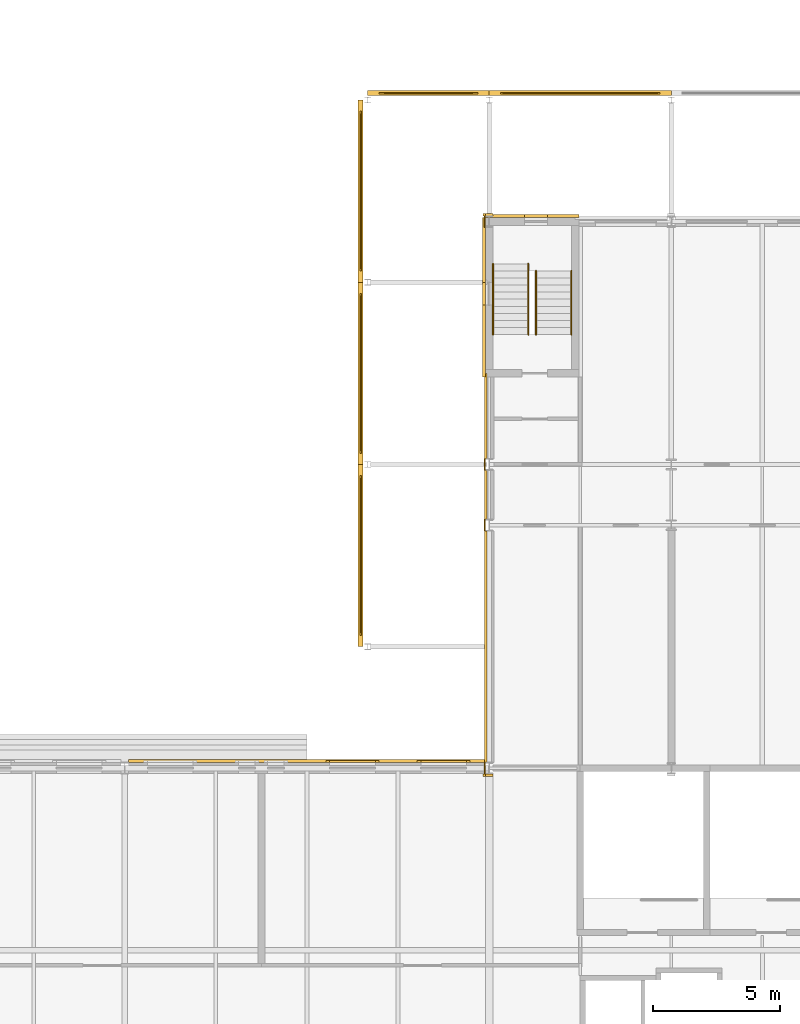
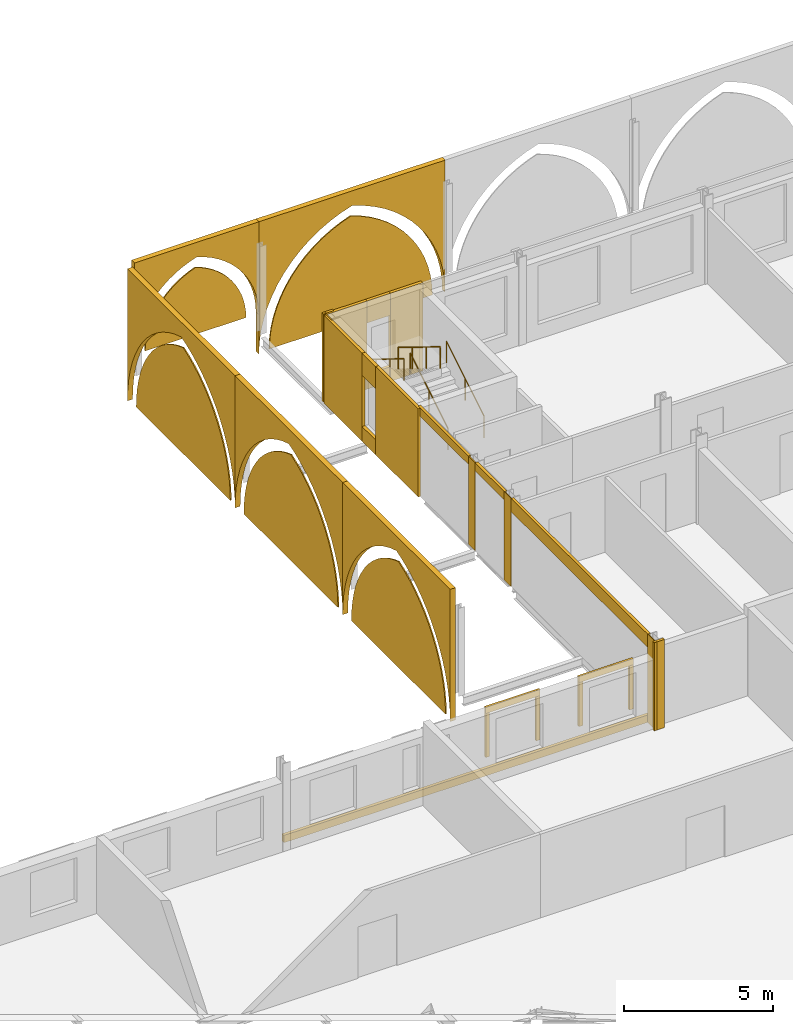
# One storey, part 126 of 142: 36 coverings, 4 railings.
"""IFC4 building model written with IfcOpenShell, lengths in metres."""

from ifc_helpers import new_model, si_unit, direction, frame, origin, origin_2d, place, context, subcontext, project, spatial, polyline, rectangle, circle, outline, extrude, material, layer, layer_set, type_object, element, save


model = new_model("IFC4")

# Units and contexts
model_context = context("Model", 3, precision=1e-05, world=origin(), true_north=direction((0.0, 1.0)))
body_context = subcontext(model_context, "Body", "Model", "MODEL_VIEW")
ifc_project = project(units=[si_unit("LENGTHUNIT", "METRE"), si_unit("AREAUNIT", "SQUARE_METRE"), si_unit("VOLUMEUNIT", "CUBIC_METRE"), si_unit("PLANEANGLEUNIT", "RADIAN"), si_unit("MASSUNIT", "GRAM", prefix="KILO")], contexts=[model_context])

# Site, building, storey
site_placement = place(None, origin())
site = spatial("IfcSite", under=ifc_project, at=site_placement, CompositionType="ELEMENT")
building_placement = place(site_placement, origin())
building = spatial("IfcBuilding", under=site, at=building_placement, Name="Kupolbacken Congress Centre", CompositionType="ELEMENT")
storey_placement = place(building_placement, frame((0.0, 0.0, 14.39990234375)))
storey = spatial("IfcBuildingStorey", under=building, at=storey_placement, Name="L04", CompositionType="ELEMENT", Elevation=14.39990234375)

# Coverings
ifc_material_1 = material(Name="Limestone cladding", Category="masonry")
ifc_layer_1 = layer(ifc_material_1, 0.1201171875)
ifc_layer_set_1 = layer_set([ifc_layer_1], Name="Limestone cladding")
covering_type_1 = type_object("IfcCoveringType", Name="CV1 limestone cladding band 120", PredefinedType="CLADDING", material=ifc_layer_set_1)
covering_1_placement = place(storey_placement, frame((57.60009765625, 122.679931640625, 0.0), z_axis=(0.0, 0.0, 1.0), x_axis=(-1.0, 0.0, 0.0)))
element("IfcCovering", 1, at=covering_1_placement, inside=storey, type_object=covering_type_1, Name="E/P/N/L04/443/band", PredefinedType="CLADDING", context=body_context, shape_type="SweptSolid", body=[
    extrude(rectangle(XDim=14.10009765625, YDim=0.1201171875, at=origin_2d()), origin(), (0.0, 0.0, 1.0), 0.300048828125),
])
for number, where, z_axis, x_axis, name in (
    (2, (60.375, 122.659912109375, 0.75), (0.0, 0.0, 1.0), (-1.0, 0.0, 0.0), "E/P/N/L04/443/W4/jl"),
    (3, (58.425048828125, 122.659912109375, 0.75), (0.0, 0.0, 1.0), (-1.0, 0.0, 0.0), "E/P/N/L04/443/W4/jr"),
):
    element("IfcCovering", number, at=place(storey_placement, frame(where, z_axis=z_axis, x_axis=x_axis)), inside=storey, type_object=covering_type_1, Name=name, PredefinedType="CLADDING", context=body_context, shape_type="SweptSolid", body=[
        extrude(rectangle(XDim=0.14990234375, YDim=0.080078125, at=origin_2d()), origin(), (0.0, 0.0, 1.0), 1.800048828125),
    ])
covering_2_placement = place(storey_placement, frame((59.39990234375, 122.659912109375, 2.550048828125), z_axis=(0.0, 0.0, 1.0), x_axis=(-1.0, 0.0, 0.0)))
element("IfcCovering", 4, at=covering_2_placement, inside=storey, type_object=covering_type_1, Name="E/P/N/L04/443/W4/hd", PredefinedType="CLADDING", context=body_context, shape_type="SweptSolid", body=[
    extrude(rectangle(XDim=2.10009765625, YDim=0.080078125, at=origin_2d()), origin(), (0.0, 0.0, 1.0), 0.25),
])
for number, where, z_axis, x_axis, name in (
    (5, (63.97509765625, 122.659912109375, 0.75), (0.0, 0.0, 1.0), (-1.0, 0.0, 0.0), "E/P/N/L04/443/W5/jl"),
    (6, (62.02490234375, 122.659912109375, 0.75), (0.0, 0.0, 1.0), (-1.0, 0.0, 0.0), "E/P/N/L04/443/W5/jr"),
):
    element("IfcCovering", number, at=place(storey_placement, frame(where, z_axis=z_axis, x_axis=x_axis)), inside=storey, type_object=covering_type_1, Name=name, PredefinedType="CLADDING", context=body_context, shape_type="SweptSolid", body=[
        extrude(rectangle(XDim=0.14990234375, YDim=0.080078125, at=origin_2d()), origin(), (0.0, 0.0, 1.0), 1.800048828125),
    ])
covering_3_placement = place(storey_placement, frame((63.0, 122.659912109375, 2.550048828125), z_axis=(0.0, 0.0, 1.0), x_axis=(-1.0, 0.0, 0.0)))
element("IfcCovering", 7, at=covering_3_placement, inside=storey, type_object=covering_type_1, Name="E/P/N/L04/443/W5/hd", PredefinedType="CLADDING", context=body_context, shape_type="SweptSolid", body=[
    extrude(rectangle(XDim=2.10009765625, YDim=0.080078125, at=origin_2d()), origin(), (0.0, 0.0, 1.0), 0.25),
])
covering_4_placement = place(storey_placement, frame((64.66259765625, 136.3125, 3.26025390625), z_axis=(0.0, 0.0, 1.0), x_axis=(0.0, -1.0, 0.0)))
element("IfcCovering", 8, at=covering_4_placement, inside=storey, type_object=covering_type_1, Name="E/T/W/L04/058/band", PredefinedType="CLADDING", context=body_context, shape_type="SweptSolid", body=[
    extrude(rectangle(XDim=3.375, YDim=0.10498046875, at=origin_2d()), origin(), (0.0, 0.0, 1.0), 0.340087890625),
])
covering_5_placement = place(storey_placement, frame((64.66259765625, 133.199951171875, 3.26025390625), z_axis=(0.0, 0.0, 1.0), x_axis=(0.0, -1.0, 0.0)))
element("IfcCovering", 9, at=covering_5_placement, inside=storey, type_object=covering_type_1, Name="E/T/W/L04/059/band", PredefinedType="CLADDING", context=body_context, shape_type="SweptSolid", body=[
    extrude(rectangle(XDim=1.949951171875, YDim=0.10498046875, at=origin_2d()), origin(), (0.0, 0.0, 1.0), 0.340087890625),
])
covering_6_placement = place(storey_placement, frame((64.66259765625, 127.199951171875, 3.06005859375), z_axis=(0.0, 0.0, 1.0), x_axis=(0.0, -1.0, 0.0)))
element("IfcCovering", 10, at=covering_6_placement, inside=storey, type_object=covering_type_1, Name="E/T/W/L04/060/band", PredefinedType="CLADDING", context=body_context, shape_type="SweptSolid", body=[
    extrude(rectangle(XDim=9.14990234375, YDim=0.10498046875, at=origin_2d()), origin(), (0.0, 0.0, 1.0), 0.5400390625),
])
covering_7_placement = place(storey_placement, frame((60.0, 148.97509765625, -7.199951171875), z_axis=(0.0, 1.0, 0.0), x_axis=(-1.0, 0.0, 0.0)))
element("IfcCovering", 11, at=covering_7_placement, inside=storey, type_object=covering_type_1, Name="E/T/portal/N/spandrel60", PredefinedType="CLADDING", context=body_context, shape_type="SweptSolid", body=[
    extrude(outline(polyline([(0.0, 7.800048828125), (0.0, 11.60009765625), (-4.800048828125, 11.60009765625), (-4.800048828125, 7.800048828125), (-4.785888671875, 8.10595703125), (-4.743896484375, 8.409423828125), (-4.674072265625, 8.707763671875), (-4.5771484375, 8.998291015625), (-4.4541015625, 9.27880859375), (-4.3056640625, 9.546875), (-4.13330078125, 9.800048828125), (-3.9384765625, 10.036376953125), (-3.72265625, 10.25390625), (-3.488037109375, 10.45068359375), (-3.236083984375, 10.625), (-2.96923828125, 10.775390625), (-2.689697265625, 10.90087890625), (-2.39990234375, 11.0), (-2.110107421875, 10.90087890625), (-1.830810546875, 10.775390625), (-1.56396484375, 10.625), (-1.31201171875, 10.45068359375), (-1.077392578125, 10.25390625), (-0.861572265625, 10.036376953125), (-0.666748046875, 9.800048828125), (-0.494384765625, 9.546875), (-0.345947265625, 9.27880859375), (-0.222900390625, 8.998291015625), (-0.1259765625, 8.707763671875), (-0.05615234375, 8.409423828125), (-0.01416015625, 8.10595703125), (0.0, 7.800048828125)])), origin(), (0.0, 0.0, 1.0), 0.199951171875),
])
for number, where, z_axis, x_axis, name in (
    (12, (64.800048828125, 148.97509765625, -7.199951171875), (0.0, 1.0, 0.0), (-1.0, 0.0, 0.0), "E/T/portal/N/spandrel64.8"),
    (13, (59.820068359375, 127.199951171875, -7.199951171875), (-1.0, 0.0, 0.0), (0.0, -1.0, 0.0), "E/T/portal/W/spandrel127.2"),
    (14, (59.820068359375, 134.39990234375, -7.199951171875), (-1.0, 0.0, 0.0), (0.0, -1.0, 0.0), "E/T/portal/W/spandrel134.4"),
    (15, (59.820068359375, 141.60009765625, -7.199951171875), (-1.0, 0.0, 0.0), (0.0, -1.0, 0.0), "E/T/portal/W/spandrel141.6"),
):
    element("IfcCovering", number, at=place(storey_placement, frame(where, z_axis=z_axis, x_axis=x_axis)), inside=storey, type_object=covering_type_1, Name=name, PredefinedType="CLADDING", context=body_context, shape_type="SweptSolid", body=[
        extrude(outline(polyline([(0.0, 6.199951171875), (0.0, 11.60009765625), (-7.199951171875, 11.60009765625), (-7.199951171875, 6.199951171875), (-7.178955078125, 6.658935546875), (-7.11572265625, 7.114013671875), (-7.010986328125, 7.5615234375), (-6.86572265625, 7.997314453125), (-6.68115234375, 8.418212890625), (-6.45849609375, 8.820068359375), (-6.199951171875, 9.199951171875), (-5.90771484375, 9.554443359375), (-5.583984375, 9.880615234375), (-5.23193359375, 10.17578125), (-4.854248046875, 10.4375), (-4.4541015625, 10.6630859375), (-4.03466796875, 10.851318359375), (-3.60009765625, 11.0), (-3.165283203125, 10.851318359375), (-2.74609375, 10.6630859375), (-2.345703125, 10.4375), (-1.968017578125, 10.17578125), (-1.615966796875, 9.880615234375), (-1.292236328125, 9.554443359375), (-1.0, 9.199951171875), (-0.741455078125, 8.820068359375), (-0.518798828125, 8.418212890625), (-0.334228515625, 7.997314453125), (-0.18896484375, 7.5615234375), (-0.084228515625, 7.114013671875), (-0.02099609375, 6.658935546875), (0.0, 6.199951171875)])), origin(), (0.0, 0.0, 1.0), 0.199951171875),
    ])
covering_8_placement = place(storey_placement, frame((64.60009765625, 122.125, 0.0), z_axis=(0.0, 0.0, 1.0), x_axis=(1.0, 0.0, 0.0)))
element("IfcCovering", 16, at=covering_8_placement, inside=storey, type_object=covering_type_1, Name="E/T/pilaster/L04/C-T-10T/corner", PredefinedType="CLADDING", context=body_context, shape_type="SweptSolid", body=[
    extrude(rectangle(XDim=0.10009765625, YDim=0.10009765625, at=origin_2d()), origin(), (0.0, 0.0, 1.0), 3.60009765625),
])
covering_9_placement = place(storey_placement, frame((64.800048828125, 122.125, 0.0), z_axis=(0.0, 0.0, 1.0), x_axis=(1.0, 0.0, 0.0)))
element("IfcCovering", 17, at=covering_9_placement, inside=storey, type_object=covering_type_1, Name="E/T/pilaster/L04/C-T-10T/S", PredefinedType="CLADDING", context=body_context, shape_type="SweptSolid", body=[
    extrude(rectangle(XDim=0.300048828125, YDim=0.10009765625, at=origin_2d()), origin(), (0.0, 0.0, 1.0), 3.60009765625),
])
for number, where, z_axis, x_axis, name in (
    (18, (64.6298828125, 122.39990234375, 0.0), (0.0, 0.0, 1.0), (1.0, 0.0, 0.0), "E/T/pilaster/L04/C-T-10T/W"),
    (19, (64.6298828125, 132.0, 0.0), (0.0, 0.0, 1.0), (1.0, 0.0, 0.0), "E/T/pilaster/L04/C-T-10U+2400/W"),
    (20, (64.6298828125, 134.39990234375, 0.0), (0.0, 0.0, 1.0), (1.0, 0.0, 0.0), "E/T/pilaster/L04/C-T-10U+4800/W"),
):
    element("IfcCovering", number, at=place(storey_placement, frame(where, z_axis=z_axis, x_axis=x_axis)), inside=storey, type_object=covering_type_1, Name=name, PredefinedType="CLADDING", context=body_context, shape_type="SweptSolid", body=[
        extrude(rectangle(XDim=0.0400390625, YDim=0.449951171875, at=origin_2d()), origin(), (0.0, 0.0, 1.0), 3.60009765625),
    ])
covering_10_placement = place(storey_placement, frame((64.60009765625, 144.27490234375, 0.0), z_axis=(0.0, 0.0, 1.0), x_axis=(1.0, 0.0, 0.0)))
element("IfcCovering", 21, at=covering_10_placement, inside=storey, type_object=covering_type_1, Name="E/T/pilaster/L04/C-T-10W/corner", PredefinedType="CLADDING", context=body_context, shape_type="SweptSolid", body=[
    extrude(rectangle(XDim=0.10009765625, YDim=0.10009765625, at=origin_2d()), origin(), (0.0, 0.0, 1.0), 3.60009765625),
])
covering_11_placement = place(storey_placement, frame((64.800048828125, 144.27490234375, 0.0), z_axis=(0.0, 0.0, 1.0), x_axis=(1.0, 0.0, 0.0)))
element("IfcCovering", 22, at=covering_11_placement, inside=storey, type_object=covering_type_1, Name="E/T/pilaster/L04/C-T-10W/N", PredefinedType="CLADDING", context=body_context, shape_type="SweptSolid", body=[
    extrude(rectangle(XDim=0.300048828125, YDim=0.10009765625, at=origin_2d()), origin(), (0.0, 0.0, 1.0), 3.60009765625),
])
covering_12_placement = place(storey_placement, frame((64.6298828125, 144.0, 0.0), z_axis=(0.0, 0.0, 1.0), x_axis=(1.0, 0.0, 0.0)))
element("IfcCovering", 23, at=covering_12_placement, inside=storey, type_object=covering_type_1, Name="E/T/pilaster/L04/C-T-10W/W", PredefinedType="CLADDING", context=body_context, shape_type="SweptSolid", body=[
    extrude(rectangle(XDim=0.0400390625, YDim=0.449951171875, at=origin_2d()), origin(), (0.0, 0.0, 1.0), 3.60009765625),
])
covering_13_placement = place(storey_placement, frame((64.590087890625, 142.875, 0.0), z_axis=(0.0, 0.0, 1.0), x_axis=(0.0, -1.0, 0.0)))
element("IfcCovering", 24, at=covering_13_placement, inside=storey, type_object=covering_type_1, Name="S/core/L04/124/face0", PredefinedType="CLADDING", context=body_context, shape_type="SweptSolid", body=[
    extrude(rectangle(XDim=2.550048828125, YDim=0.1201171875, at=origin_2d()), origin(), (0.0, 0.0, 1.0), 3.60009765625),
])
covering_14_placement = place(storey_placement, frame((64.590087890625, 139.27490234375, 0.0), z_axis=(0.0, 0.0, 1.0), x_axis=(0.0, -1.0, 0.0)))
element("IfcCovering", 25, at=covering_14_placement, inside=storey, type_object=covering_type_1, Name="S/core/L04/124/face1", PredefinedType="CLADDING", context=body_context, shape_type="SweptSolid", body=[
    extrude(rectangle(XDim=2.85009765625, YDim=0.1201171875, at=origin_2d()), origin(), (0.0, 0.0, 1.0), 3.60009765625),
])
covering_15_placement = place(storey_placement, frame((64.590087890625, 141.14990234375, 0.0), z_axis=(0.0, 0.0, 1.0), x_axis=(0.0, -1.0, 0.0)))
element("IfcCovering", 26, at=covering_15_placement, inside=storey, type_object=covering_type_1, Name="S/core/L04/124/face2", PredefinedType="CLADDING", context=body_context, shape_type="SweptSolid", body=[
    extrude(rectangle(XDim=0.89990234375, YDim=0.1201171875, at=origin_2d()), origin(), (0.0, 0.0, 1.0), 0.60009765625),
])
covering_16_placement = place(storey_placement, frame((64.590087890625, 141.14990234375, 2.7001953125), z_axis=(0.0, 0.0, 1.0), x_axis=(0.0, -1.0, 0.0)))
element("IfcCovering", 27, at=covering_16_placement, inside=storey, type_object=covering_type_1, Name="S/core/L04/124/face3", PredefinedType="CLADDING", context=body_context, shape_type="SweptSolid", body=[
    extrude(rectangle(XDim=0.89990234375, YDim=0.1201171875, at=origin_2d()), origin(), (0.0, 0.0, 1.0), 0.89990234375),
])
covering_17_placement = place(storey_placement, frame((67.72509765625, 144.2099609375, 0.0), z_axis=(0.0, 0.0, 1.0), x_axis=(-1.0, 0.0, 0.0)))
element("IfcCovering", 28, at=covering_17_placement, inside=storey, type_object=covering_type_1, Name="S/core/L04/125/face0", PredefinedType="CLADDING", context=body_context, shape_type="SweptSolid", body=[
    extrude(rectangle(XDim=1.25, YDim=0.1201171875, at=origin_2d()), origin(), (0.0, 0.0, 1.0), 3.60009765625),
])
covering_18_placement = place(storey_placement, frame((65.425048828125, 144.2099609375, 0.0), z_axis=(0.0, 0.0, 1.0), x_axis=(-1.0, 0.0, 0.0)))
element("IfcCovering", 29, at=covering_18_placement, inside=storey, type_object=covering_type_1, Name="S/core/L04/125/face1", PredefinedType="CLADDING", context=body_context, shape_type="SweptSolid", body=[
    extrude(rectangle(XDim=1.550048828125, YDim=0.1201171875, at=origin_2d()), origin(), (0.0, 0.0, 1.0), 3.60009765625),
])
covering_19_placement = place(storey_placement, frame((66.64990234375, 144.2099609375, 0.0), z_axis=(0.0, 0.0, 1.0), x_axis=(-1.0, 0.0, 0.0)))
element("IfcCovering", 30, at=covering_19_placement, inside=storey, type_object=covering_type_1, Name="S/core/L04/125/face2", PredefinedType="CLADDING", context=body_context, shape_type="SweptSolid", body=[
    extrude(rectangle(XDim=0.89990234375, YDim=0.1201171875, at=origin_2d()), origin(), (0.0, 0.0, 1.0), 0.60009765625),
])
covering_20_placement = place(storey_placement, frame((66.64990234375, 144.2099609375, 2.7001953125), z_axis=(0.0, 0.0, 1.0), x_axis=(-1.0, 0.0, 0.0)))
element("IfcCovering", 31, at=covering_20_placement, inside=storey, type_object=covering_type_1, Name="S/core/L04/125/face3", PredefinedType="CLADDING", context=body_context, shape_type="SweptSolid", body=[
    extrude(rectangle(XDim=0.89990234375, YDim=0.1201171875, at=origin_2d()), origin(), (0.0, 0.0, 1.0), 0.89990234375),
])
ifc_material_2 = material(Name="Glass", Category="glass")
ifc_layer_2 = layer(ifc_material_2, 0.0439453125)
ifc_layer_set_2 = layer_set([ifc_layer_2], Name="Glass")
covering_type_2 = type_object("IfcCoveringType", Name="GV1 glazed arch head 44", PredefinedType="CLADDING", material=ifc_layer_set_2)
covering_21_placement = place(storey_placement, frame((60.0, 149.052978515625, 0.60009765625), z_axis=(0.0, 1.0, 0.0), x_axis=(-1.0, 0.0, 0.0)))
element("IfcCovering", 32, at=covering_21_placement, inside=storey, type_object=covering_type_2, Name="E/T/portal/N/screen60/head", PredefinedType="CLADDING", context=body_context, shape_type="SweptSolid", body=[
    extrude(outline(polyline([(-0.449951171875, 0.0), (-0.461181640625, 0.25537109375), (-0.4951171875, 0.508544921875), (-0.551513671875, 0.7578125), (-0.62939453125, 1.001220703125), (-0.728759765625, 1.23681640625), (-0.848388671875, 1.46240234375), (-0.987548828125, 1.6767578125), (-1.145263671875, 1.877685546875), (-1.320068359375, 2.064208984375), (-1.5107421875, 2.234375), (-1.7158203125, 2.386962890625), (-1.933349609375, 2.520751953125), (-2.162109375, 2.634765625), (-2.39990234375, 2.72802734375), (-2.637939453125, 2.634765625), (-2.86669921875, 2.520751953125), (-3.084228515625, 2.386962890625), (-3.289306640625, 2.234375), (-3.47998046875, 2.064208984375), (-3.65478515625, 1.877685546875), (-3.8125, 1.6767578125), (-3.95166015625, 1.46240234375), (-4.0712890625, 1.23681640625), (-4.170654296875, 1.001220703125), (-4.24853515625, 0.7578125), (-4.3046875, 0.508544921875), (-4.338623046875, 0.25537109375), (-4.35009765625, 0.0), (-0.449951171875, 0.0)])), origin(), (0.0, 0.0, 1.0), 0.0439453125),
])
for number, where, z_axis, x_axis, name in (
    (33, (64.800048828125, 149.052978515625, -1.0), (0.0, 1.0, 0.0), (-1.0, 0.0, 0.0), "E/T/portal/N/screen64.8/head"),
    (34, (59.741943359375, 127.199951171875, -1.0), (-1.0, 0.0, 0.0), (0.0, -1.0, 0.0), "E/T/portal/W/screen127.2/head"),
    (35, (59.741943359375, 134.39990234375, -1.0), (-1.0, 0.0, 0.0), (0.0, -1.0, 0.0), "E/T/portal/W/screen134.4/head"),
    (36, (59.741943359375, 141.60009765625, -1.0), (-1.0, 0.0, 0.0), (0.0, -1.0, 0.0), "E/T/portal/W/screen141.6/head"),
):
    element("IfcCovering", number, at=place(storey_placement, frame(where, z_axis=z_axis, x_axis=x_axis)), inside=storey, type_object=covering_type_2, Name=name, PredefinedType="CLADDING", context=body_context, shape_type="SweptSolid", body=[
        extrude(outline(polyline([(-0.449951171875, 0.0), (-0.468505859375, 0.408203125), (-0.523193359375, 0.813232421875), (-0.6142578125, 1.2119140625), (-0.74072265625, 1.6005859375), (-0.901611328125, 1.976318359375), (-1.095458984375, 2.3359375), (-1.32080078125, 2.677001953125), (-1.575927734375, 2.996337890625), (-1.858642578125, 3.29150390625), (-2.166748046875, 3.560302734375), (-2.49755859375, 3.800048828125), (-2.8486328125, 4.00927734375), (-3.217041015625, 4.186279296875), (-3.60009765625, 4.329345703125), (-3.98291015625, 4.186279296875), (-4.351318359375, 4.00927734375), (-4.702392578125, 3.800048828125), (-5.033203125, 3.560302734375), (-5.34130859375, 3.29150390625), (-5.6240234375, 2.996337890625), (-5.879150390625, 2.677001953125), (-6.1044921875, 2.3359375), (-6.29833984375, 1.976318359375), (-6.459228515625, 1.6005859375), (-6.585693359375, 1.2119140625), (-6.6767578125, 0.813232421875), (-6.731689453125, 0.408203125), (-6.75, 0.0), (-0.449951171875, 0.0)])), origin(), (0.0, 0.0, 1.0), 0.0439453125),
    ])

# Railings
ifc_material_3 = material(Name="Steel S235", Category="steel")
railing_type = type_object("IfcRailingType", Name="RL3 handrail wall-mounted 900", PredefinedType="HANDRAIL", material=ifc_material_3)
for number, where, name in (
    (37, (66.64990234375, 139.530029296875, 0.171630859375), "C/stair/TS3/L04/HR1L"),
    (38, (68.050048828125, 139.530029296875, 0.171630859375), "C/stair/TS3/L04/HR1R"),
):
    element("IfcRailing", number, at=place(storey_placement, frame(where)), inside=storey, type_object=railing_type, Name=name, PredefinedType="HANDRAIL", context=body_context, shape_type="SweptSolid", body=[
        extrude(circle(Radius=0.02392578125, at=origin_2d()), frame((0.0, 0.0, 0.8759765625), z_axis=(0.0, 0.852873080145, 0.522118290393), x_axis=(-1.0, 0.0, 0.0)), (0.0, 0.0, 1.0), 2.954833984375),
        extrude(circle(Radius=0.02099609375, at=origin_2d()), origin(), (0.0, 0.0, 1.0), 0.851806640625),
        extrude(circle(Radius=0.02099609375, at=origin_2d()), frame((0.0, 1.260009765625, 0.771484375)), (0.0, 0.0, 1.0), 0.851806640625),
        extrude(circle(Radius=0.02099609375, at=origin_2d()), frame((0.0, 2.52001953125, 1.542724609375)), (0.0, 0.0, 1.0), 0.851806640625),
    ])
for number, where, name in (
    (39, (66.35009765625, 142.330078125, 1.8857421875), "C/stair/TS3/L04/HR2L"),
    (40, (64.949951171875, 142.330078125, 1.8857421875), "C/stair/TS3/L04/HR2R"),
):
    element("IfcRailing", number, at=place(storey_placement, frame(where)), inside=storey, type_object=railing_type, Name=name, PredefinedType="HANDRAIL", context=body_context, shape_type="SweptSolid", body=[
        extrude(circle(Radius=0.02392578125, at=origin_2d()), frame((0.0, 0.0, 0.8759765625), z_axis=(0.0, -0.852845897599, 0.522162690116), x_axis=(1.0, 0.0, 0.0)), (0.0, 0.0, 1.0), 3.283203125),
        extrude(circle(Radius=0.02099609375, at=origin_2d()), origin(), (0.0, 0.0, 1.0), 0.851806640625),
        extrude(circle(Radius=0.02099609375, at=origin_2d()), frame((0.0, -0.933349609375, 0.571533203125)), (0.0, 0.0, 1.0), 0.851806640625),
        extrude(circle(Radius=0.02099609375, at=origin_2d()), frame((0.0, -1.86669921875, 1.142822265625)), (0.0, 0.0, 1.0), 0.851806640625),
        extrude(circle(Radius=0.02099609375, at=origin_2d()), frame((0.0, -2.800048828125, 1.71435546875)), (0.0, 0.0, 1.0), 0.851806640625),
    ])

save(model, "model.ifc")
